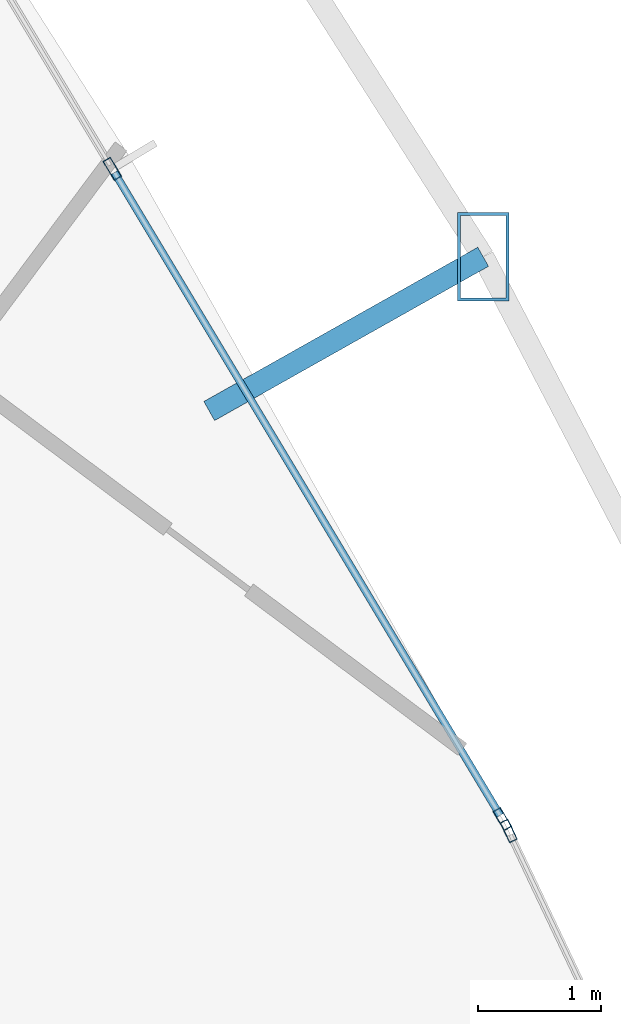
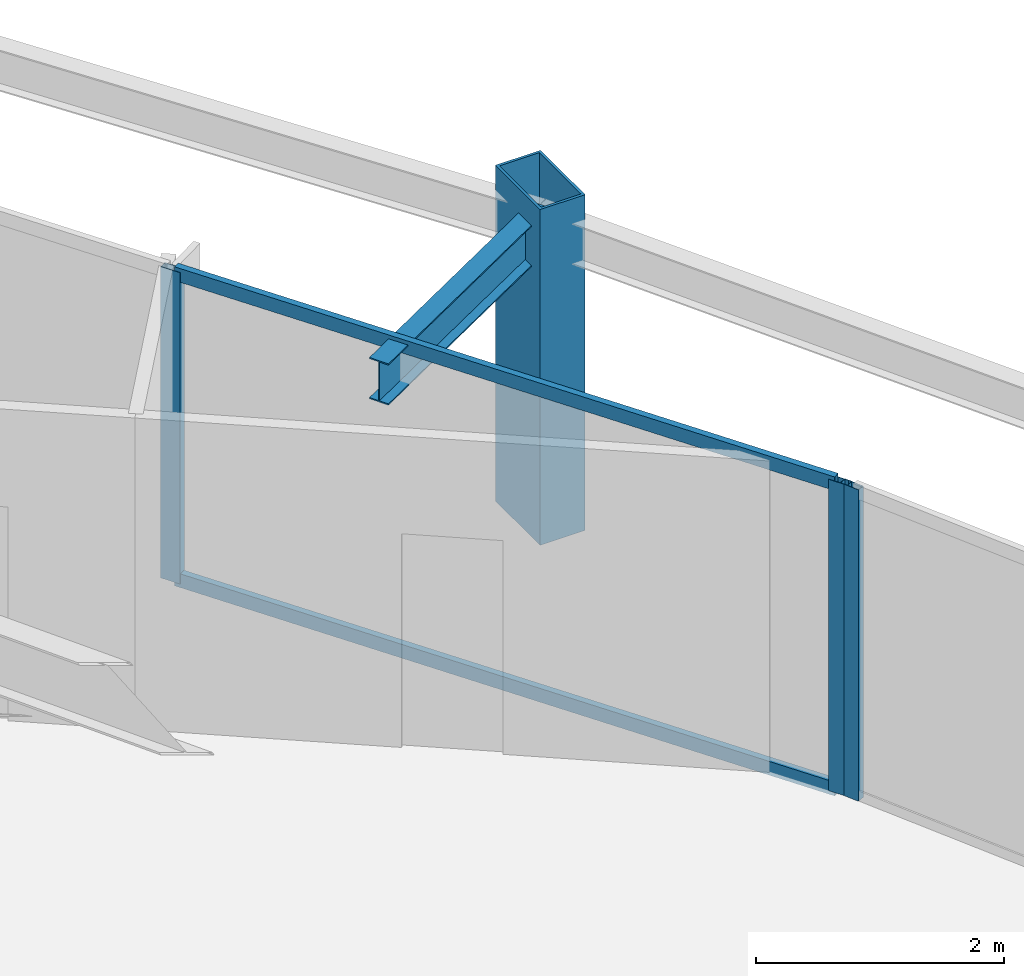
# One storey, part 18 of 34: 6 members, 1 beam, 2 elements without a shape of their own.
"""IFC4 building model written with IfcOpenShell, lengths in metres."""

from ifc_helpers import new_model, si_unit, direction, frame, origin, origin_2d, place, context, subcontext, project, spatial, hollow_rectangle, i_section, extrude, material, layer, layer_set, material_profile, profile_set, type_object, element, aggregate, save


model = new_model("IFC4")

# Units and contexts
model_context = context("Model", 3, precision=1e-05, world=origin(), true_north=direction((0.0, 1.0)))
body_context = subcontext(model_context, "Body", "Model", "MODEL_VIEW")
ifc_project = project(units=[si_unit("LENGTHUNIT", "METRE"), si_unit("AREAUNIT", "SQUARE_METRE"), si_unit("VOLUMEUNIT", "CUBIC_METRE"), si_unit("PLANEANGLEUNIT", "RADIAN"), si_unit("MASSUNIT", "GRAM", prefix="KILO")], contexts=[model_context])

# Site, building, storey
site_placement = place(None, origin())
site = spatial("IfcSite", under=ifc_project, at=site_placement, CompositionType="ELEMENT")
building_placement = place(site_placement, origin())
building = spatial("IfcBuilding", under=site, at=building_placement, Name="Orvanel Arch Residences", CompositionType="ELEMENT")
storey_placement = place(building_placement, frame((0.0, 0.0, 67.550048828125)))
storey = spatial("IfcBuildingStorey", under=building, at=storey_placement, Name="L18", CompositionType="ELEMENT", Elevation=67.550048828125)

# Member
ifc_material_1 = material(Name="Structural steel AS/NZS 3678 Grade 350", Category="steel")
ifc_material_profile_1 = material_profile(ifc_material_1, hollow_rectangle(XDim=0.419921875, YDim=0.719970703125, WallThickness=0.02490234375, at=origin_2d()), Name="RHS720x420x25")
ifc_profile_set_1 = profile_set([ifc_material_profile_1], Name="Structural steel AS/NZS 3678 Grade 350")
member_type_1 = type_object("IfcMemberType", Name="CH-720RHS-EXT", PredefinedType="CHORD", material=ifc_profile_set_1)
member_1_placement = place(storey_placement, frame((52.77587890625, 29.384033203125, 0.0), z_axis=(0.0, 0.0, 1.0), x_axis=(1.0, 0.0, 0.0)))
element("IfcMember", 1, at=member_1_placement, inside=storey, type_object=member_type_1, Name="L18 Outer Perimeter Frame Post 10", PredefinedType="CHORD", context=body_context, shape_type="SweptSolid", body=[
    extrude(hollow_rectangle(XDim=0.419921875, YDim=0.719970703125, WallThickness=0.02490234375, at=origin_2d()), origin(), (0.0, 0.0, 1.0), 3.300048828125),
])

# Curtain wall, member
ifc_material_2 = material(Name="Bronze-anodised aluminium AA6063-T6", Category="aluminium")
ifc_layer = layer(ifc_material_2, 0.179931640625)
ifc_layer_set = layer_set([ifc_layer], Name="Bronze-anodised aluminium AA6063-T6")
curtain_wall_type = type_object("IfcCurtainWallType", Name="CW2-LOW-SYS", PredefinedType="NOTDEFINED", material=ifc_layer_set)
curtain_wall_1_placement = place(storey_placement, origin())
curtain_wall_1 = element("IfcCurtainWall", 2, at=curtain_wall_1_placement, inside=storey, type_object=curtain_wall_type, Name="L18 CW2-LOW-SYS Unitised Curtain Wall", PredefinedType="NOTDEFINED")
ifc_material_profile_2 = material_profile(ifc_material_2, hollow_rectangle(XDim=0.070068359375, YDim=0.179931640625, WallThickness=0.00439453125, at=origin_2d()), Name="ALU180x70x4.5")
ifc_profile_set_2 = profile_set([ifc_material_profile_2], Name="Bronze-anodised aluminium AA6063-T6")
member_type_2 = type_object("IfcMemberType", Name="MUL-180x70", PredefinedType="MULLION", material=ifc_profile_set_2)
member_2_placement = place(storey_placement, frame((52.98291015625, 24.727294921875, 0.0), z_axis=(0.0, 0.0, 1.0), x_axis=(-0.903875434189, -0.427795745036, 0.0)))
member_2 = element("IfcMember", 3, at=member_2_placement, type_object=member_type_2, Name="CW-S2 mullion 3", PredefinedType="MULLION", context=body_context, shape_type="SweptSolid", body=[
    extrude(hollow_rectangle(XDim=0.070068359375, YDim=0.179931640625, WallThickness=0.00439453125, at=origin_2d()), origin(), (0.0, 0.0, 1.0), 3.06005859375),
])
aggregate(curtain_wall_1, [member_2])

# Curtain wall, members
curtain_wall_2_placement = place(storey_placement, origin())
curtain_wall_2 = element("IfcCurtainWall", 4, at=curtain_wall_2_placement, inside=storey, type_object=curtain_wall_type, Name="L18 CW2-LOW-SYS Unitised Curtain Wall", PredefinedType="NOTDEFINED")
member_3_placement = place(storey_placement, frame((52.930908203125, 24.823974609375, 0.0), z_axis=(0.0, 0.0, 1.0), x_axis=(-0.857549994674, -0.514400628533, 0.0)))
member_3 = element("IfcMember", 5, at=member_3_placement, type_object=member_type_2, Name="CW-S2 mullion 1", PredefinedType="MULLION", context=body_context, shape_type="SweptSolid", body=[
    extrude(hollow_rectangle(XDim=0.070068359375, YDim=0.179931640625, WallThickness=0.00439453125, at=origin_2d()), origin(), (0.0, 0.0, 1.0), 3.06005859375),
])
member_4_placement = place(storey_placement, frame((49.76806640625, 30.096923828125, 0.0), z_axis=(0.0, 0.0, 1.0), x_axis=(-0.857549994674, -0.514400628533, 0.0)))
member_4 = element("IfcMember", 6, at=member_4_placement, type_object=member_type_2, Name="CW-S2 mullion 2", PredefinedType="MULLION", context=body_context, shape_type="SweptSolid", body=[
    extrude(hollow_rectangle(XDim=0.070068359375, YDim=0.179931640625, WallThickness=0.00439453125, at=origin_2d()), origin(), (0.0, 0.0, 1.0), 3.06005859375),
])

# Beam
ifc_material_3 = material(Name="Structural steel AS/NZS 3679.1 Grade 300 (300 MPa)", Category="steel")
ifc_material_profile_3 = material_profile(ifc_material_3, i_section(OverallWidth=0.177978515625, OverallDepth=0.406005859375, WebThickness=0.0078125, FlangeThickness=0.0126953125, at=origin_2d()), Name="410UB59.7")
ifc_profile_set_3 = profile_set([ifc_material_profile_3], Name="Structural steel AS/NZS 3679.1 Grade 300 (300 MPa)")
beam_type = type_object("IfcBeamType", Name="OB-410UB-EXT", PredefinedType="SPANDREL", material=ifc_profile_set_3)
beam_placement = place(storey_placement, frame((50.553955078125, 28.133056640625, 2.85693359375), z_axis=(0.871383694473, 0.490602137181, 0.0), x_axis=(-0.490602137181, 0.871383694473, 0.0)))
element("IfcBeam", 7, at=beam_placement, inside=storey, type_object=beam_type, Name="L18 Outer Frame Radial Tie Beam 10", PredefinedType="SPANDREL", context=body_context, shape_type="SweptSolid", body=[
    extrude(i_section(OverallWidth=0.177978515625, OverallDepth=0.406005859375, WebThickness=0.0078125, FlangeThickness=0.0126953125, at=origin_2d()), origin(), (0.0, 0.0, 1.0), 2.5498046875),
])

# Member
ifc_material_profile_4 = material_profile(ifc_material_2, hollow_rectangle(XDim=0.06005859375, YDim=0.135009765625, WallThickness=0.00390625, at=origin_2d()), Name="ALU135x60x4")
ifc_profile_set_4 = profile_set([ifc_material_profile_4], Name="Bronze-anodised aluminium AA6063-T6")
member_type_3 = type_object("IfcMemberType", Name="TRN-135x60", PredefinedType="USERDEFINED", material=ifc_profile_set_4)
member_5_placement = place(storey_placement, frame((52.9130859375, 24.85400390625, 0.030029296875), z_axis=(-0.514430786549, 0.857531903692, 0.0), x_axis=(-0.857531903692, -0.514430786549, 0.0)))
member_5 = element("IfcMember", 8, at=member_5_placement, type_object=member_type_3, Name="CW-S2 transom 1.1", ObjectType="TRANSOM", PredefinedType="USERDEFINED", context=body_context, shape_type="SweptSolid", body=[
    extrude(hollow_rectangle(XDim=0.06005859375, YDim=0.135009765625, WallThickness=0.00390625, at=origin_2d()), origin(), (0.0, 0.0, 1.0), 6.078857421875),
])

member_6_placement = place(storey_placement, frame((52.9130859375, 24.85400390625, 3.030029296875), z_axis=(-0.514430786549, 0.857531903692, 0.0), x_axis=(-0.857531903692, -0.514430786549, 0.0)))
member_6 = element("IfcMember", 9, at=member_6_placement, type_object=member_type_3, Name="CW-S2 transom 1.2", ObjectType="TRANSOM", PredefinedType="USERDEFINED", context=body_context, shape_type="SweptSolid", body=[
    extrude(hollow_rectangle(XDim=0.06005859375, YDim=0.135009765625, WallThickness=0.00390625, at=origin_2d()), origin(), (0.0, 0.0, 1.0), 6.078857421875),
])

aggregate(curtain_wall_2, [member_3, member_4, member_5, member_6])

save(model, "model.ifc")
